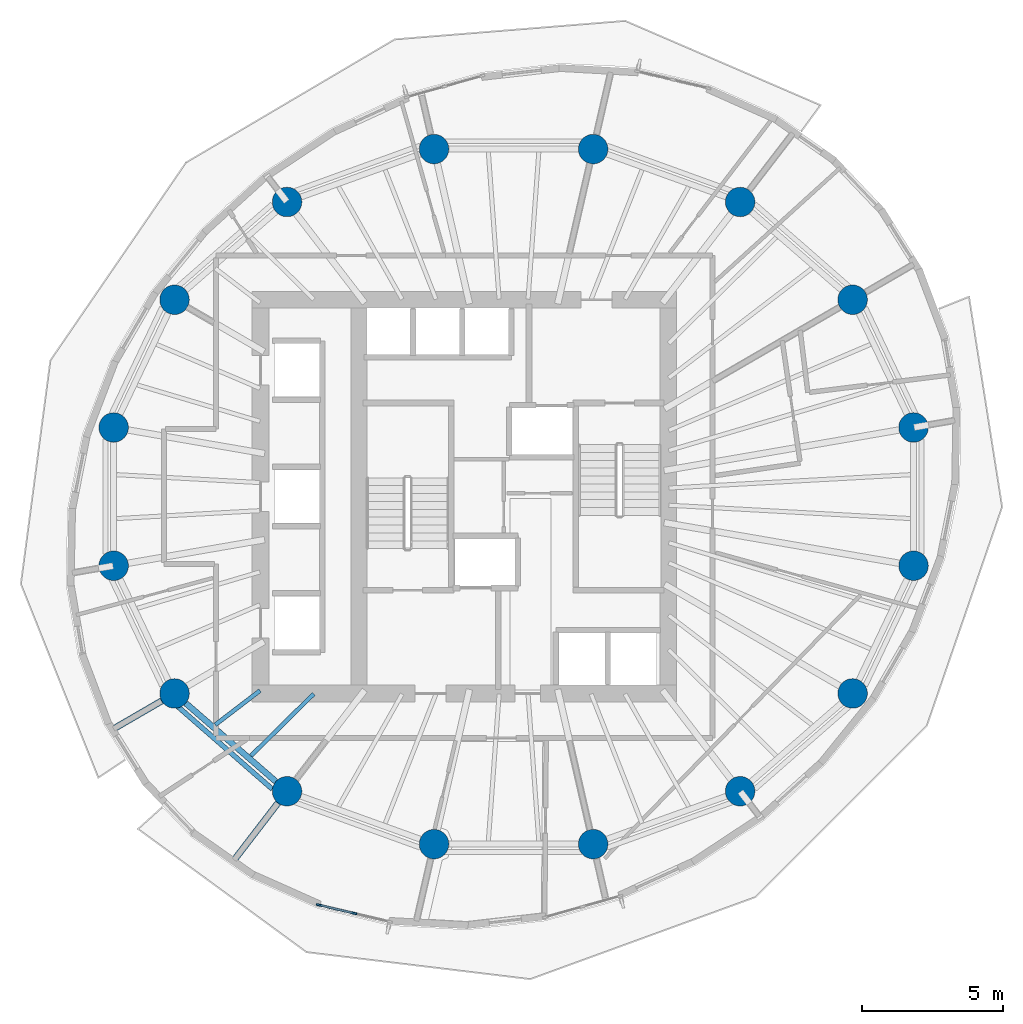
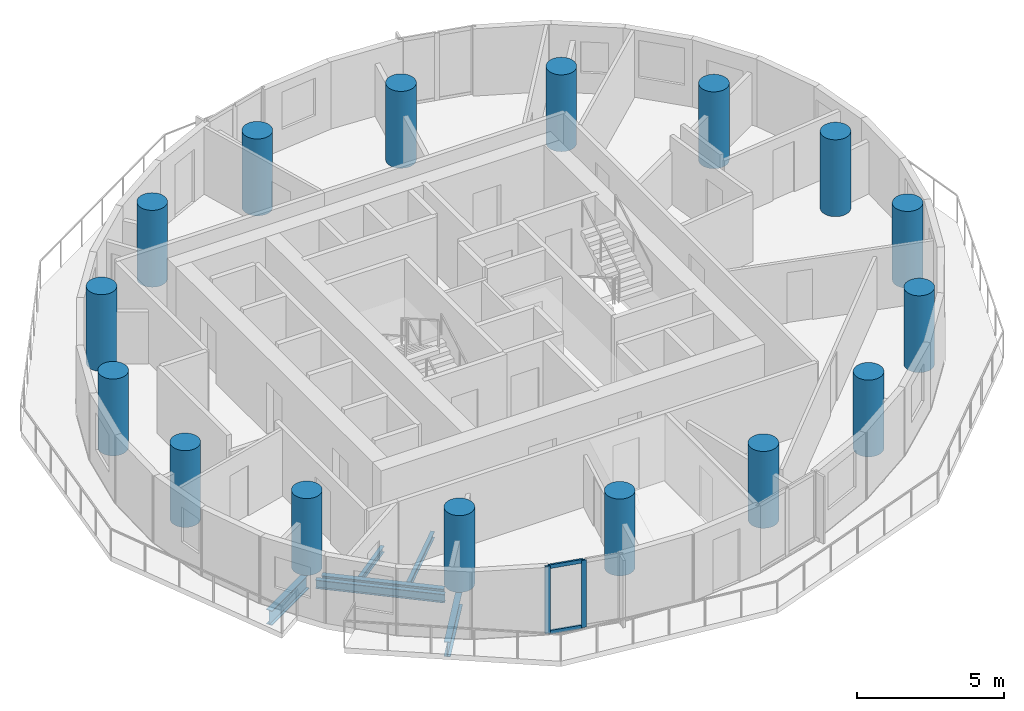
# One storey, part 1 of 13: 16 columns, 6 beams, 4 members, 1 element without a shape of its own.
"""IFC4 building model written with IfcOpenShell, lengths in metres."""

from ifc_helpers import new_model, si_unit, direction, frame, origin, origin_2d, place, context, subcontext, project, spatial, rectangle, circle, i_section, extrude, material, material_profile, profile_set, type_object, element, aggregate, save


model = new_model("IFC4")

# Units and contexts
model_context = context("Model", 3, precision=1e-05, world=origin(), true_north=direction((0.0, 1.0)))
body_context = subcontext(model_context, "Body", "Model", "MODEL_VIEW")
ifc_project = project(units=[si_unit("LENGTHUNIT", "METRE"), si_unit("AREAUNIT", "SQUARE_METRE"), si_unit("VOLUMEUNIT", "CUBIC_METRE"), si_unit("PLANEANGLEUNIT", "RADIAN"), si_unit("MASSUNIT", "GRAM", prefix="KILO")], contexts=[model_context])

# Site, building, storey
site_placement = place(None, origin())
site = spatial("IfcSite", under=ifc_project, at=site_placement, CompositionType="ELEMENT")
building_placement = place(site_placement, origin())
building = spatial("IfcBuilding", under=site, at=building_placement, Name="Veldorim Arch Residences", CompositionType="ELEMENT")
storey_placement = place(building_placement, frame((0.0, 0.0, 155.360107421875)))
storey = spatial("IfcBuildingStorey", under=building, at=storey_placement, Name="L46", CompositionType="ELEMENT", Elevation=155.360107421875)

# Columns
ifc_material_1 = material(Name="Concrete C50/60", Category="concrete")
ifc_material_profile_1 = material_profile(ifc_material_1, circle(Radius=0.52490234375, at=origin_2d()), Name="RC_CIRC_1050")
ifc_profile_set_1 = profile_set([ifc_material_profile_1], Name="Concrete C50/60")
column_type = type_object("IfcColumnType", Name="Structural Column RC_CIRC_1050", PredefinedType="COLUMN", material=ifc_profile_set_1)
for number, where, z_axis, x_axis, name in (
    (1, (46.221435546875, 26.4580078125, 0.0), (0.0, 0.0, 1.0), (1.0, 0.0, 0.0), "L46 TC-Z3-01 perimeter column"),
    (2, (44.056396484375, 31.000244140625, 0.0), (0.0, 0.0, 1.0), (1.0, 0.0, 0.0), "L46 TC-Z3-02 perimeter column"),
    (3, (40.055908203125, 34.4765625, 0.0), (0.0, 0.0, 1.0), (1.0, 0.0, 0.0), "L46 TC-Z3-03 perimeter column"),
    (4, (34.828857421875, 36.35791015625, 0.0), (0.0, 0.0, 1.0), (1.0, 0.0, 0.0), "L46 TC-Z3-04 perimeter column"),
    (5, (29.171142578125, 36.35791015625, 0.0), (0.0, 0.0, 1.0), (1.0, 0.0, 0.0), "L46 TC-Z3-05 perimeter column"),
    (6, (23.944091796875, 34.4765625, 0.0), (0.0, 0.0, 1.0), (1.0, 0.0, 0.0), "L46 TC-Z3-06 perimeter column"),
    (7, (19.943603515625, 31.000244140625, 0.0), (0.0, 0.0, 1.0), (1.0, 0.0, 0.0), "L46 TC-Z3-07 perimeter column"),
    (8, (17.778564453125, 26.4580078125, 0.0), (0.0, 0.0, 1.0), (1.0, 0.0, 0.0), "L46 TC-Z3-08 perimeter column"),
    (9, (17.778564453125, 21.5419921875, 0.0), (0.0, 0.0, 1.0), (1.0, 0.0, 0.0), "L46 TC-Z3-09 perimeter column"),
    (10, (19.943603515625, 16.999755859375, 0.0), (0.0, 0.0, 1.0), (1.0, 0.0, 0.0), "L46 TC-Z3-10 perimeter column"),
    (11, (23.944091796875, 13.5234375, 0.0), (0.0, 0.0, 1.0), (1.0, 0.0, 0.0), "L46 TC-Z3-11 perimeter column"),
    (12, (29.171142578125, 11.64208984375, 0.0), (0.0, 0.0, 1.0), (1.0, 0.0, 0.0), "L46 TC-Z3-12 perimeter column"),
    (13, (34.828857421875, 11.64208984375, 0.0), (0.0, 0.0, 1.0), (1.0, 0.0, 0.0), "L46 TC-Z3-13 perimeter column"),
    (14, (40.055908203125, 13.5234375, 0.0), (0.0, 0.0, 1.0), (1.0, 0.0, 0.0), "L46 TC-Z3-14 perimeter column"),
    (15, (44.056396484375, 16.999755859375, 0.0), (0.0, 0.0, 1.0), (1.0, 0.0, 0.0), "L46 TC-Z3-15 perimeter column"),
    (16, (46.221435546875, 21.5419921875, 0.0), (0.0, 0.0, 1.0), (1.0, 0.0, 0.0), "L46 TC-Z3-16 perimeter column"),
):
    element("IfcColumn", number, at=place(storey_placement, frame(where, z_axis=z_axis, x_axis=x_axis)), inside=storey, type_object=column_type, Name=name, PredefinedType="COLUMN", context=body_context, shape_type="SweptSolid", body=[
        extrude(circle(Radius=0.52490234375, at=origin_2d()), origin(), (0.0, 0.0, 1.0), 3.199951171875),
    ])

# Beams
ifc_material_2 = material(Name="Steel S355", Category="steel")
ifc_material_profile_2 = material_profile(ifc_material_2, i_section(OverallWidth=0.2099609375, OverallDepth=0.53662109375, WebThickness=0.0107421875, FlangeThickness=0.017333984375, at=origin_2d()), Name="UB533x210x101")
ifc_profile_set_2 = profile_set([ifc_material_profile_2], Name="Steel S355")
beam_type_1 = type_object("IfcBeamType", Name="Structural Steel Beam UB533x210x101", PredefinedType="BEAM", material=ifc_profile_set_2)
beam_1_placement = place(storey_placement, frame((20.340087890625, 16.655517578125, -0.50830078125), z_axis=(0.754810789581, -0.655942582802, 0.0), x_axis=(0.655942582802, 0.754810789581, 0.0)))
element("IfcBeam", 17, at=beam_1_placement, inside=storey, type_object=beam_type_1, Name="L46 perimeter ring tie beam 10", PredefinedType="BEAM", context=body_context, shape_type="SweptSolid", body=[
    extrude(i_section(OverallWidth=0.2099609375, OverallDepth=0.53662109375, WebThickness=0.0107421875, FlangeThickness=0.017333984375, at=origin_2d()), origin(), (0.0, 0.0, 1.0), 4.249755859375),
])
ifc_material_3 = material(Name="Steel S355", Category="steel")
ifc_material_profile_3 = material_profile(ifc_material_3, i_section(OverallWidth=0.22900390625, OverallDepth=0.6123046875, WebThickness=0.011962890625, FlangeThickness=0.01953125, at=origin_2d()), Name="UB610x229x125")
ifc_profile_set_3 = profile_set([ifc_material_profile_3], Name="Steel S355")
beam_type_2 = type_object("IfcBeamType", Name="Structural Steel Beam UB610x229x125", PredefinedType="BEAM", material=ifc_profile_set_3)
beam_2_placement = place(storey_placement, frame((19.926513671875, 16.98974609375, -0.546142578125), z_axis=(-0.86478894661, -0.502135517387, 0.0), x_axis=(0.502135517387, -0.86478894661, 0.0)))
element("IfcBeam", 18, at=beam_2_placement, inside=storey, type_object=beam_type_2, Name="L46 radial edge cantilever girder 10", PredefinedType="BEAM", context=body_context, shape_type="SweptSolid", body=[
    extrude(i_section(OverallWidth=0.22900390625, OverallDepth=0.6123046875, WebThickness=0.011962890625, FlangeThickness=0.01953125, at=origin_2d()), origin(), (0.0, 0.0, 1.0), 2.564208984375),
])
beam_3_placement = place(storey_placement, frame((23.931884765625, 13.507568359375, -0.546142578125), z_axis=(-0.609575446364, -0.792728058789, 0.0), x_axis=(0.792728058789, -0.609575446364, 0.0)))
element("IfcBeam", 19, at=beam_3_placement, inside=storey, type_object=beam_type_2, Name="L46 radial edge cantilever girder 11", PredefinedType="BEAM", context=body_context, shape_type="SweptSolid", body=[
    extrude(i_section(OverallWidth=0.22900390625, OverallDepth=0.6123046875, WebThickness=0.011962890625, FlangeThickness=0.01953125, at=origin_2d()), origin(), (0.0, 0.0, 1.0), 3.13916015625),
])
ifc_material_4 = material(Name="Steel S355", Category="steel")
ifc_material_profile_4 = material_profile(ifc_material_4, i_section(OverallWidth=0.146484375, OverallDepth=0.256103515625, WebThickness=0.00634765625, FlangeThickness=0.010986328125, at=origin_2d()), Name="UB254x146x37")
ifc_profile_set_4 = profile_set([ifc_material_profile_4], Name="Steel S355")
beam_type_3 = type_object("IfcBeamType", Name="Structural Steel Joist UB254x146x37", PredefinedType="JOIST", material=ifc_profile_set_4)
beam_4_placement = place(storey_placement, frame((22.984130859375, 17.10302734375, -0.3681640625), z_axis=(-0.794312925337, -0.607508828448, 0.0), x_axis=(0.607508828448, -0.794312925337, 0.0)))
element("IfcBeam", 20, at=beam_4_placement, inside=storey, type_object=beam_type_3, Name="L46 secondary radial floor joist 10-1", PredefinedType="JOIST", context=body_context, shape_type="SweptSolid", body=[
    extrude(i_section(OverallWidth=0.146484375, OverallDepth=0.256103515625, WebThickness=0.00634765625, FlangeThickness=0.010986328125, at=origin_2d()), origin(), (0.0, 0.0, 1.0), 2.006103515625),
])
beam_5_placement = place(storey_placement, frame((24.894287109375, 16.986083984375, -0.3681640625), z_axis=(-0.711683379532, -0.702500368183, 0.0), x_axis=(0.702500368183, -0.711683379532, 0.0)))
element("IfcBeam", 21, at=beam_5_placement, inside=storey, type_object=beam_type_3, Name="L46 secondary radial floor joist 10-2", PredefinedType="JOIST", context=body_context, shape_type="SweptSolid", body=[
    extrude(i_section(OverallWidth=0.146484375, OverallDepth=0.256103515625, WebThickness=0.00634765625, FlangeThickness=0.010986328125, at=origin_2d()), origin(), (0.0, 0.0, 1.0), 3.13720703125),
])
ifc_material_5 = material(Name="Steel S355", Category="steel")
ifc_material_profile_5 = material_profile(ifc_material_5, i_section(OverallWidth=0.172119140625, OverallDepth=0.35791015625, WebThickness=0.008056640625, FlangeThickness=0.012939453125, at=origin_2d()), Name="UB356x171x57")
ifc_profile_set_5 = profile_set([ifc_material_profile_5], Name="Steel S355")
beam_type_4 = type_object("IfcBeamType", Name="Structural Steel Spandrel UB356x171x57", PredefinedType="SPANDREL", material=ifc_profile_set_5)
beam_6_placement = place(storey_placement, frame((20.0419921875, 16.55078125, -0.439208984375), z_axis=(0.753014748982, -0.658003638148, 0.0), x_axis=(0.658003638148, 0.753014748982, 0.0)))
element("IfcBeam", 22, at=beam_6_placement, inside=storey, type_object=beam_type_4, Name="L46 perimeter chord spandrel beam 10", PredefinedType="SPANDREL", context=body_context, shape_type="SweptSolid", body=[
    extrude(i_section(OverallWidth=0.172119140625, OverallDepth=0.35791015625, WebThickness=0.008056640625, FlangeThickness=0.012939453125, at=origin_2d()), origin(), (0.0, 0.0, 1.0), 4.486572265625),
])

# Curtain wall, members
ifc_material_6 = material(Name="Aluminium", Category="aluminium")
curtain_wall_type = type_object("IfcCurtainWallType", Name="Zone 3 High-Wind Unitised Curtain Wall", PredefinedType="NOTDEFINED", material=ifc_material_6)
curtain_wall_placement = place(storey_placement, origin())
curtain_wall = element("IfcCurtainWall", 23, at=curtain_wall_placement, inside=storey, type_object=curtain_wall_type, Name="L46 unitised curtain wall bay 22", PredefinedType="NOTDEFINED")
ifc_material_7 = material(Name="Aluminium", Category="aluminium")
ifc_material_profile_6 = material_profile(ifc_material_7, rectangle(XDim=0.070068359375, YDim=0.179931640625, at=origin_2d()), Name="ALU_MUL_70x180")
ifc_profile_set_6 = profile_set([ifc_material_profile_6], Name="Aluminium")
member_type_1 = type_object("IfcMemberType", Name="Zone 3 High-Wind Unitised Curtain Wall Mullion 70x180", PredefinedType="MULLION", material=ifc_profile_set_6)
member_1_placement = place(storey_placement, frame((26.337890625, 9.179443359375, 0.0), z_axis=(0.0, 0.0, 1.0), x_axis=(-0.230956858022, -0.972963992002, 0.0)))
member_1 = element("IfcMember", 24, at=member_1_placement, type_object=member_type_1, Name="CW-Z3 mullion 2", PredefinedType="MULLION", context=body_context, shape_type="SweptSolid", body=[
    extrude(rectangle(XDim=0.070068359375, YDim=0.179931640625, at=origin_2d()), origin(), (0.0, 0.0, 1.0), 2.7998046875),
])
member_2_placement = place(storey_placement, frame((25.076904296875, 9.478759765625, 0.0), z_axis=(0.0, 0.0, 1.0), x_axis=(-0.230956858022, -0.972963992002, 0.0)))
member_2 = element("IfcMember", 25, at=member_2_placement, type_object=member_type_1, Name="CW-Z3 mullion 3", PredefinedType="MULLION", context=body_context, shape_type="SweptSolid", body=[
    extrude(rectangle(XDim=0.070068359375, YDim=0.179931640625, at=origin_2d()), origin(), (0.0, 0.0, 1.0), 2.7998046875),
])
ifc_material_8 = material(Name="Aluminium", Category="aluminium")
ifc_material_profile_7 = material_profile(ifc_material_8, rectangle(XDim=0.070068359375, YDim=0.155029296875, at=origin_2d()), Name="ALU_TRN_70x155")
ifc_profile_set_7 = profile_set([ifc_material_profile_7], Name="Aluminium")
member_type_2 = type_object("IfcMemberType", Name="Zone 3 High-Wind Unitised Curtain Wall Transom 70x155", PredefinedType="USERDEFINED", material=ifc_profile_set_7)
member_3_placement = place(storey_placement, frame((26.3037109375, 9.1875, 0.034912109375), z_axis=(-0.972955574019, 0.230992318023, 0.0), x_axis=(-0.230992318023, -0.972955574019, 0.0)))
member_3 = element("IfcMember", 26, at=member_3_placement, type_object=member_type_2, Name="CW-Z3 transom 2.1", ObjectType="TRANSOM", PredefinedType="USERDEFINED", context=body_context, shape_type="SweptSolid", body=[
    extrude(rectangle(XDim=0.070068359375, YDim=0.155029296875, at=origin_2d()), origin(), (0.0, 0.0, 1.0), 1.22607421875),
])
member_4_placement = place(storey_placement, frame((26.3037109375, 9.1875, 2.764892578125), z_axis=(-0.972955574019, 0.230992318023, 0.0), x_axis=(-0.230992318023, -0.972955574019, 0.0)))
member_4 = element("IfcMember", 27, at=member_4_placement, type_object=member_type_2, Name="CW-Z3 transom 2.2", ObjectType="TRANSOM", PredefinedType="USERDEFINED", context=body_context, shape_type="SweptSolid", body=[
    extrude(rectangle(XDim=0.070068359375, YDim=0.155029296875, at=origin_2d()), origin(), (0.0, 0.0, 1.0), 1.22607421875),
])
aggregate(curtain_wall, [member_1, member_2, member_3, member_4])

save(model, "model.ifc")
